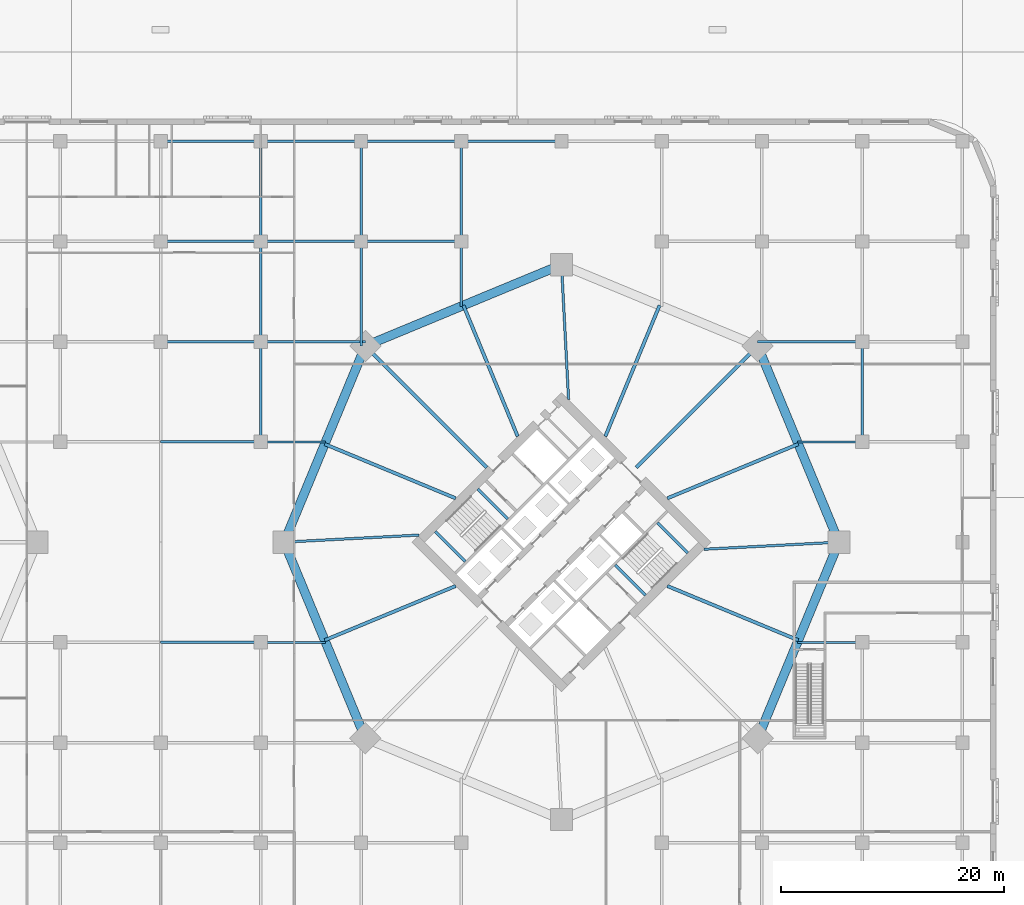
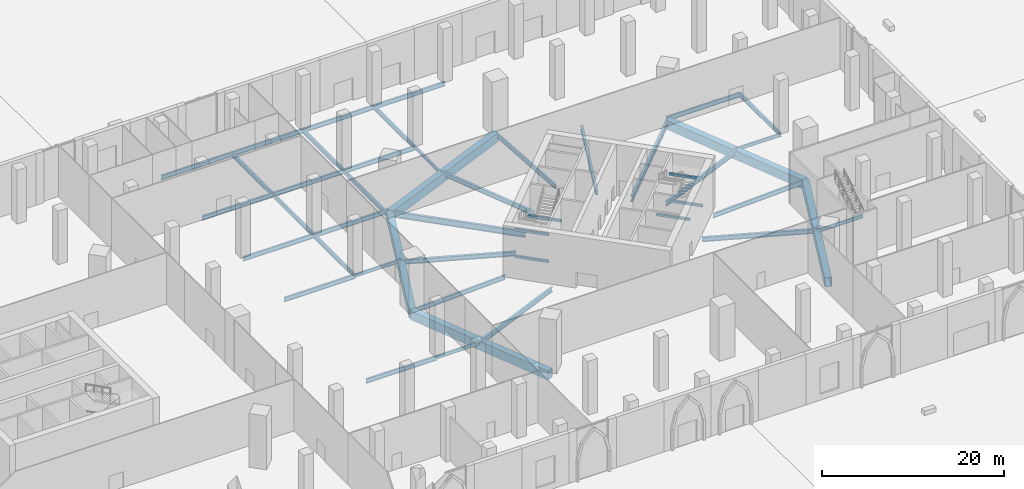
# One storey, part 14 of 48: 46 beams.
"""IFC4 building model written with IfcOpenShell, lengths in metres."""

from ifc_helpers import new_model, si_unit, direction, frame, origin, origin_2d, place, context, subcontext, project, spatial, rectangle, hollow_rectangle, i_section, extrude, material, material_profile, profile_set, type_object, element, save


model = new_model("IFC4")

# Units and contexts
model_context = context("Model", 3, precision=1e-05, world=origin(), true_north=direction((0.0, 1.0)))
body_context = subcontext(model_context, "Body", "Model", "MODEL_VIEW")
ifc_project = project(units=[si_unit("LENGTHUNIT", "METRE"), si_unit("AREAUNIT", "SQUARE_METRE"), si_unit("VOLUMEUNIT", "CUBIC_METRE"), si_unit("PLANEANGLEUNIT", "RADIAN"), si_unit("MASSUNIT", "GRAM", prefix="KILO")], contexts=[model_context])

# Site, building, storey
site_placement = place(None, origin())
site = spatial("IfcSite", under=ifc_project, at=site_placement, CompositionType="ELEMENT")
building_placement = place(site_placement, origin())
building = spatial("IfcBuilding", under=site, at=building_placement, Name="Ogive Gate Towers", CompositionType="ELEMENT")
storey_placement = place(building_placement, origin())
storey = spatial("IfcBuildingStorey", under=building, at=storey_placement, Name="L00", CompositionType="ELEMENT", Elevation=0.0)

# Beams
ifc_material_1 = material(Name="Steel SM460", Category="steel")
ifc_material_profile_1 = material_profile(ifc_material_1, hollow_rectangle(XDim=0.800048828125, YDim=1.199951171875, WallThickness=0.050048828125, at=origin_2d()), Name="BX 1200x800x50")
ifc_profile_set_1 = profile_set([ifc_material_profile_1], Name="Steel SM460")
beam_type_1 = type_object("IfcBeamType", Name="Edge girder BX 1200x800x50", PredefinedType="BEAM", material=ifc_profile_set_1)
for number, where, z_axis, x_axis, name in (
    (1, (53.614013671875, -17.614013671875, -0.89990234375), (0.382680526191, 0.923880736283, 0.0), (-0.923880736283, 0.382680526191, 0.0), "T2/L00/SBM019"),
    (2, (60.909912109375, 0.0, -0.89990234375), (-0.382680526191, 0.923880736283, 0.0), (-0.923880736283, -0.382680526191, 0.0), "T2/L00/SBM020"),
    (3, (36.0, 24.909912109375, -0.89990234375), (-0.923880736283, -0.382680526191, 0.0), (0.382680526191, -0.923880736283, 0.0), "T2/L00/SBM022"),
    (4, (18.385986328125, 17.614013671875, -0.89990234375), (-0.382680526191, -0.923880736283, 0.0), (0.923880736283, -0.382680526191, 0.0), "T2/L00/SBM023"),
    (5, (11.090087890625, 0.0, -0.89990234375), (0.382680526191, -0.923880736283, 0.0), (0.923880736283, 0.382680526191, 0.0), "T2/L00/SBM024"),
):
    element("IfcBeam", number, at=place(storey_placement, frame(where, z_axis=z_axis, x_axis=x_axis)), inside=storey, type_object=beam_type_1, Name=name, PredefinedType="BEAM", context=body_context, shape_type="SweptSolid", body=[
        extrude(hollow_rectangle(XDim=0.800048828125, YDim=1.199951171875, WallThickness=0.050048828125, at=origin_2d()), origin(), (0.0, 0.0, 1.0), 19.065185546875),
    ])
ifc_material_2 = material(Name="Steel SM355", Category="steel")
ifc_material_profile_2 = material_profile(ifc_material_2, i_section(OverallWidth=0.18994140625, OverallDepth=0.449951171875, WebThickness=0.009521484375, FlangeThickness=0.0146484375, FilletRadius=0.02099609375, at=origin_2d()), Name="IPE 450")
ifc_profile_set_2 = profile_set([ifc_material_profile_2], Name="Steel SM355")
beam_type_2 = type_object("IfcBeamType", Name="Floor beam IPE 450", PredefinedType="BEAM", material=ifc_profile_set_2)
for number, where, z_axis, x_axis, name in (
    (6, (9.0, -9.0, -0.52490234375), (1.0, 0.0, 0.0), (0.0, 1.0, 0.0), "PD/L00/SBM161"),
    (7, (9.0, 9.0, -0.52490234375), (1.0, 0.0, 0.0), (0.0, 1.0, 0.0), "PD/L00/SBM162"),
    (8, (27.0, 27.0, -0.52490234375), (0.0, -1.0, 0.0), (1.0, 0.0, 0.0), "PD/L00/SBM164"),
    (9, (63.0, -9.0, -0.52490234375), (-1.0, 0.0, 0.0), (0.0, -1.0, 0.0), "PD/L00/SBM167"),
    (10, (63.0, 9.0, -0.52490234375), (-1.0, 0.0, 0.0), (0.0, -1.0, 0.0), "PD/L00/SBM168"),
):
    element("IfcBeam", number, at=place(storey_placement, frame(where, z_axis=z_axis, x_axis=x_axis)), inside=storey, type_object=beam_type_2, Name=name, PredefinedType="BEAM", context=body_context, shape_type="SweptSolid", body=[
        extrude(i_section(OverallWidth=0.18994140625, OverallDepth=0.449951171875, WebThickness=0.009521484375, FlangeThickness=0.0146484375, FilletRadius=0.02099609375, at=origin_2d()), origin(), (0.0, 0.0, 1.0), 5.81787109375),
    ])
ifc_material_profile_3 = material_profile(ifc_material_2, i_section(OverallWidth=0.219970703125, OverallDepth=0.60009765625, WebThickness=0.011962890625, FlangeThickness=0.01904296875, FilletRadius=0.02392578125, at=origin_2d()), Name="IPE 600")
ifc_profile_set_3 = profile_set([ifc_material_profile_3], Name="Steel SM355")
beam_type_3 = type_object("IfcBeamType", Name="Floor beam IPE 600", PredefinedType="BEAM", material=ifc_profile_set_3)
for number, where, z_axis, x_axis, name in (
    (11, (9.0, 9.0, -0.60009765625), (0.0, 1.0, 0.0), (-1.0, 0.0, 0.0), "PD/L00/SBM044"),
    (12, (9.0, 18.0, -0.60009765625), (0.0, 1.0, 0.0), (-1.0, 0.0, 0.0), "PD/L00/SBM045"),
    (13, (9.0, 27.0, -0.60009765625), (0.0, 1.0, 0.0), (-1.0, 0.0, 0.0), "PD/L00/SBM046"),
):
    element("IfcBeam", number, at=place(storey_placement, frame(where, z_axis=z_axis, x_axis=x_axis)), inside=storey, type_object=beam_type_3, Name=name, PredefinedType="BEAM", context=body_context, shape_type="SweptSolid", body=[
        extrude(i_section(OverallWidth=0.219970703125, OverallDepth=0.60009765625, WebThickness=0.011962890625, FlangeThickness=0.01904296875, FilletRadius=0.02392578125, at=origin_2d()), origin(), (0.0, 0.0, 1.0), 9.0),
    ])
beam_placement = place(storey_placement, frame((18.0, 17.614013671875, -0.60009765625), z_axis=(0.0, 1.0, 0.0), x_axis=(-1.0, 0.0, 0.0)))
element("IfcBeam", 14, at=beam_placement, inside=storey, type_object=beam_type_3, Name="PD/L00/SBM049", PredefinedType="BEAM", context=body_context, shape_type="SweptSolid", body=[
    extrude(i_section(OverallWidth=0.219970703125, OverallDepth=0.60009765625, WebThickness=0.011962890625, FlangeThickness=0.01904296875, FilletRadius=0.02392578125, at=origin_2d()), origin(), (0.0, 0.0, 1.0), 9.385986328125),
])
for number, where, z_axis, x_axis, name in (
    (15, (18.0, 27.0, -0.60009765625), (0.0, 1.0, 0.0), (-1.0, 0.0, 0.0), "PD/L00/SBM050"),
    (16, (27.0, 27.0, -0.60009765625), (0.0, 1.0, 0.0), (-1.0, 0.0, 0.0), "PD/L00/SBM052"),
    (17, (63.0, 9.0, -0.60009765625), (0.0, 1.0, 0.0), (-1.0, 0.0, 0.0), "PD/L00/SBM062"),
    (18, (0.0, -9.0, -0.60009765625), (1.0, 0.0, 0.0), (0.0, 1.0, 0.0), "PD/L00/SBM111"),
    (19, (0.0, 9.0, -0.60009765625), (1.0, 0.0, 0.0), (0.0, 1.0, 0.0), "PD/L00/SBM115"),
    (20, (0.0, 18.0, -0.60009765625), (1.0, 0.0, 0.0), (0.0, 1.0, 0.0), "PD/L00/SBM121"),
):
    element("IfcBeam", number, at=place(storey_placement, frame(where, z_axis=z_axis, x_axis=x_axis)), inside=storey, type_object=beam_type_3, Name=name, PredefinedType="BEAM", context=body_context, shape_type="SweptSolid", body=[
        extrude(i_section(OverallWidth=0.219970703125, OverallDepth=0.60009765625, WebThickness=0.011962890625, FlangeThickness=0.01904296875, FilletRadius=0.02392578125, at=origin_2d()), origin(), (0.0, 0.0, 1.0), 9.0),
    ])
for number, where, z_axis, x_axis, name in (
    (21, (9.0, 18.0, -0.60009765625), (1.0, 0.0, 0.0), (0.0, 1.0, 0.0), "PD/L00/SBM122"),
    (22, (53.614013671875, 18.0, -0.60009765625), (1.0, 0.0, 0.0), (0.0, 1.0, 0.0), "PD/L00/SBM123"),
):
    element("IfcBeam", number, at=place(storey_placement, frame(where, z_axis=z_axis, x_axis=x_axis)), inside=storey, type_object=beam_type_3, Name=name, PredefinedType="BEAM", context=body_context, shape_type="SweptSolid", body=[
        extrude(i_section(OverallWidth=0.219970703125, OverallDepth=0.60009765625, WebThickness=0.011962890625, FlangeThickness=0.01904296875, FilletRadius=0.02392578125, at=origin_2d()), origin(), (0.0, 0.0, 1.0), 9.385986328125),
    ])
for number, where, z_axis, x_axis, name in (
    (23, (0.0, 27.0, -0.60009765625), (1.0, 0.0, 0.0), (0.0, 1.0, 0.0), "PD/L00/SBM131"),
    (24, (9.0, 27.0, -0.60009765625), (1.0, 0.0, 0.0), (0.0, 1.0, 0.0), "PD/L00/SBM132"),
    (25, (18.0, 27.0, -0.60009765625), (1.0, 0.0, 0.0), (0.0, 1.0, 0.0), "PD/L00/SBM133"),
    (26, (0.0, 36.0, -0.60009765625), (1.0, 0.0, 0.0), (0.0, 1.0, 0.0), "PD/L00/SBM145"),
    (27, (9.0, 36.0, -0.60009765625), (1.0, 0.0, 0.0), (0.0, 1.0, 0.0), "PD/L00/SBM146"),
    (28, (18.0, 36.0, -0.60009765625), (1.0, 0.0, 0.0), (0.0, 1.0, 0.0), "PD/L00/SBM147"),
    (29, (27.0, 36.0, -0.60009765625), (1.0, 0.0, 0.0), (0.0, 1.0, 0.0), "PD/L00/SBM148"),
):
    element("IfcBeam", number, at=place(storey_placement, frame(where, z_axis=z_axis, x_axis=x_axis)), inside=storey, type_object=beam_type_3, Name=name, PredefinedType="BEAM", context=body_context, shape_type="SweptSolid", body=[
        extrude(i_section(OverallWidth=0.219970703125, OverallDepth=0.60009765625, WebThickness=0.011962890625, FlangeThickness=0.01904296875, FilletRadius=0.02392578125, at=origin_2d()), origin(), (0.0, 0.0, 1.0), 9.0),
    ])
ifc_material_3 = material(Name="Concrete C40/50", Category="concrete")
ifc_material_profile_4 = material_profile(ifc_material_3, rectangle(XDim=0.25, YDim=0.300048828125, at=origin_2d()), Name="RC 250x300")
ifc_profile_set_4 = profile_set([ifc_material_profile_4], Name="Concrete C40/50")
beam_type_4 = type_object("IfcBeamType", Name="Landing bearer RC 250x300", PredefinedType="BEAM", material=ifc_profile_set_4)
for number, where, z_axis, x_axis, name in (
    (30, (24.66162109375, 0.965087890625, 1.449951171875), (0.707106781187, -0.707106781187, 0.0), (0.707106781187, 0.707106781187, 0.0), "T2 L00 stair 1 landing bearer 1"),
    (31, (28.4658203125, 4.769287109375, 3.25), (0.707106781187, -0.707106781187, 0.0), (0.707106781187, 0.707106781187, 0.0), "T2 L00 stair 1 landing bearer 2"),
    (32, (24.66162109375, 0.965087890625, 5.050048828125), (0.707106781187, -0.707106781187, 0.0), (0.707106781187, 0.707106781187, 0.0), "T2 L00 stair 1 landing bearer 3"),
    (33, (47.33837890625, -0.965087890625, 1.449951171875), (-0.707106781187, 0.707106781187, 0.0), (-0.707106781187, -0.707106781187, 0.0), "T2 L00 stair 2 landing bearer 1"),
    (34, (43.5341796875, -4.769287109375, 3.25), (-0.707106781187, 0.707106781187, 0.0), (-0.707106781187, -0.707106781187, 0.0), "T2 L00 stair 2 landing bearer 2"),
    (35, (47.33837890625, -0.965087890625, 5.050048828125), (-0.707106781187, 0.707106781187, 0.0), (-0.707106781187, -0.707106781187, 0.0), "T2 L00 stair 2 landing bearer 3"),
):
    element("IfcBeam", number, at=place(storey_placement, frame(where, z_axis=z_axis, x_axis=x_axis)), inside=storey, type_object=beam_type_4, Name=name, PredefinedType="BEAM", context=body_context, shape_type="SweptSolid", body=[
        extrude(rectangle(XDim=0.25, YDim=0.300048828125, at=origin_2d()), origin(), (0.0, 0.0, 1.0), 3.824951171875),
    ])
ifc_material_profile_5 = material_profile(ifc_material_2, i_section(OverallWidth=0.300048828125, OverallDepth=0.590087890625, WebThickness=0.012939453125, FlangeThickness=0.02490234375, FilletRadius=0.027099609375, at=origin_2d()), Name="HE 600 A")
ifc_profile_set_5 = profile_set([ifc_material_profile_5], Name="Steel SM355")
beam_type_5 = type_object("IfcBeamType", Name="Radial floor beam HE 600 A", PredefinedType="BEAM", material=ifc_profile_set_5)
for number, where, z_axis, x_axis, name in (
    (36, (45.5, -3.93505859375, -0.594970703125), (0.923876595354, -0.382690523214, 0.0), (0.382690523214, 0.923876595354, 0.0), "T2/L00/SBM006"),
    (37, (45.5, 3.93505859375, -0.594970703125), (0.923876595354, 0.382690523214, 0.0), (-0.382690523214, 0.923876595354, 0.0), "T2/L00/SBM008"),
    (38, (39.93505859375, 9.5, -0.594970703125), (0.382690523214, 0.923876595354, 0.0), (-0.923876595354, 0.382690523214, 0.0), "T2/L00/SBM010"),
    (39, (32.06494140625, 9.5, -0.594970703125), (-0.382690523214, 0.923876595354, 0.0), (-0.923876595354, -0.382690523214, 0.0), "T2/L00/SBM012"),
    (40, (26.5, 3.93505859375, -0.594970703125), (-0.923876595354, 0.382690523214, 0.0), (-0.382690523214, -0.923876595354, 0.0), "T2/L00/SBM014"),
    (41, (26.5, -3.93505859375, -0.594970703125), (-0.923876595354, -0.382690523214, 0.0), (0.382690523214, -0.923876595354, 0.0), "T2/L00/SBM016"),
):
    element("IfcBeam", number, at=place(storey_placement, frame(where, z_axis=z_axis, x_axis=x_axis)), inside=storey, type_object=beam_type_5, Name=name, PredefinedType="BEAM", context=body_context, shape_type="SweptSolid", body=[
        extrude(i_section(OverallWidth=0.300048828125, OverallDepth=0.590087890625, WebThickness=0.012939453125, FlangeThickness=0.02490234375, FilletRadius=0.027099609375, at=origin_2d()), origin(), (0.0, 0.0, 1.0), 12.731201171875),
    ])
ifc_material_profile_6 = material_profile(ifc_material_2, i_section(OverallWidth=0.300048828125, OverallDepth=0.7900390625, WebThickness=0.014892578125, FlangeThickness=0.028076171875, FilletRadius=0.030029296875, at=origin_2d()), Name="HE 800 A")
ifc_profile_set_6 = profile_set([ifc_material_profile_6], Name="Steel SM355")
beam_type_6 = type_object("IfcBeamType", Name="Radial floor beam HE 800 A", PredefinedType="BEAM", material=ifc_profile_set_6)
for number, where, z_axis, x_axis, name in (
    (42, (42.717529296875, 6.717529296875, -0.695068359375), (0.707106781187, 0.707106781187, 0.0), (-0.707106781187, 0.707106781187, 0.0), "T2/L00/SBM009"),
    (43, (29.282470703125, 6.717529296875, -0.695068359375), (-0.707106781187, 0.707106781187, 0.0), (-0.707106781187, -0.707106781187, 0.0), "T2/L00/SBM013"),
):
    element("IfcBeam", number, at=place(storey_placement, frame(where, z_axis=z_axis, x_axis=x_axis)), inside=storey, type_object=beam_type_6, Name=name, PredefinedType="BEAM", context=body_context, shape_type="SweptSolid", body=[
        extrude(i_section(OverallWidth=0.300048828125, OverallDepth=0.7900390625, WebThickness=0.014892578125, FlangeThickness=0.028076171875, FilletRadius=0.030029296875, at=origin_2d()), origin(), (0.0, 0.0, 1.0), 15.409912109375),
    ])
ifc_material_profile_7 = material_profile(ifc_material_2, i_section(OverallWidth=0.219970703125, OverallDepth=0.60009765625, WebThickness=0.011962890625, FlangeThickness=0.01904296875, FilletRadius=0.02392578125, at=origin_2d()), Name="IPE 600")
ifc_profile_set_7 = profile_set([ifc_material_profile_7], Name="Steel SM355")
beam_type_7 = type_object("IfcBeamType", Name="Radial floor beam IPE 600", PredefinedType="BEAM", material=ifc_profile_set_7)
for number, where, z_axis, x_axis, name in (
    (44, (48.798583984375, -0.636474609375, -0.60009765625), (0.998621996823, 0.052479590907, 0.0), (-0.052479590907, 0.998621996823, 0.0), "T2/L00/SBM007"),
    (45, (36.636474609375, 12.798583984375, -0.60009765625), (-0.052479590907, 0.998621996823, 0.0), (-0.998621996823, -0.052479590907, 0.0), "T2/L00/SBM011"),
    (46, (23.201416015625, 0.636474609375, -0.60009765625), (-0.998621996823, -0.052479590907, 0.0), (0.052479590907, -0.998621996823, 0.0), "T2/L00/SBM015"),
):
    element("IfcBeam", number, at=place(storey_placement, frame(where, z_axis=z_axis, x_axis=x_axis)), inside=storey, type_object=beam_type_7, Name=name, PredefinedType="BEAM", context=body_context, shape_type="SweptSolid", body=[
        extrude(i_section(OverallWidth=0.219970703125, OverallDepth=0.60009765625, WebThickness=0.011962890625, FlangeThickness=0.01904296875, FilletRadius=0.02392578125, at=origin_2d()), origin(), (0.0, 0.0, 1.0), 12.1279296875),
    ])

save(model, "model.ifc")
